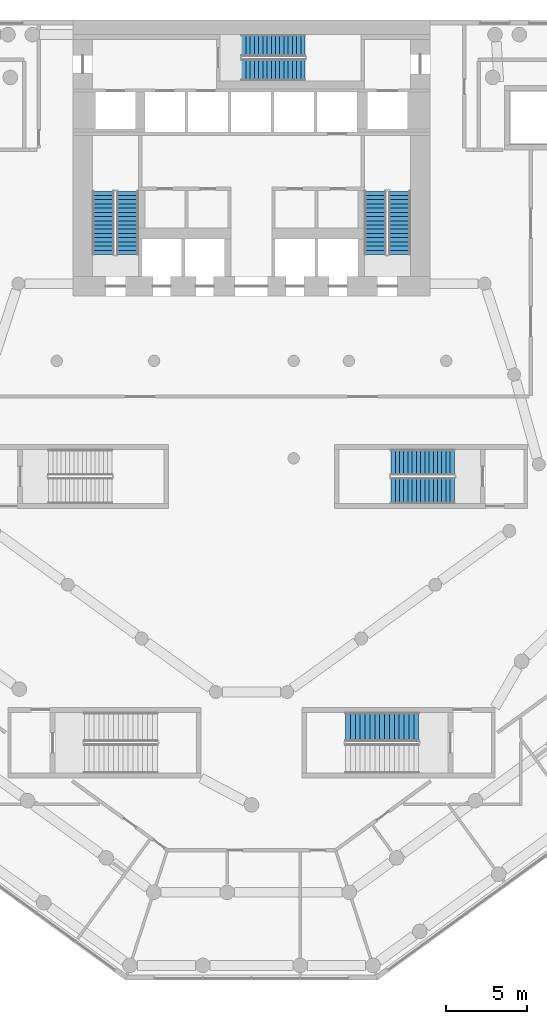
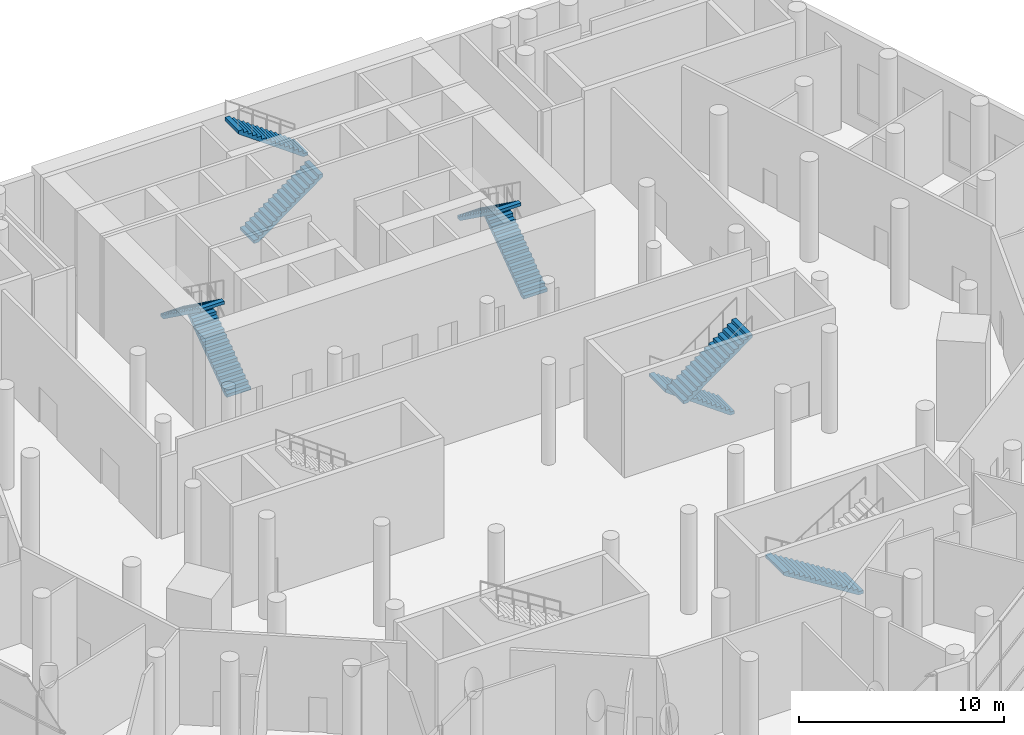
# One storey, part 16 of 19: 9 stair flights, 5 elements without a shape of their own.
"""IFC4 building model written with IfcOpenShell, lengths in metres."""

from ifc_helpers import new_model, si_unit, direction, frame, origin, place, context, subcontext, project, spatial, polyline, outline, extrude, material, layer, layer_set, type_object, element, aggregate, save


model = new_model("IFC4")

# Units and contexts
model_context = context("Model", 3, precision=1e-05, world=origin(), true_north=direction((0.0, 1.0)))
body_context = subcontext(model_context, "Body", "Model", "MODEL_VIEW")
ifc_project = project(units=[si_unit("LENGTHUNIT", "METRE"), si_unit("AREAUNIT", "SQUARE_METRE"), si_unit("VOLUMEUNIT", "CUBIC_METRE"), si_unit("PLANEANGLEUNIT", "RADIAN"), si_unit("MASSUNIT", "GRAM", prefix="KILO")], contexts=[model_context])

# Site, building, storey
site_placement = place(None, origin())
site = spatial("IfcSite", under=ifc_project, at=site_placement, CompositionType="ELEMENT")
building_placement = place(site_placement, origin())
building = spatial("IfcBuilding", under=site, at=building_placement, Name="White Candle Pilgrim Tower", CompositionType="ELEMENT")
storey_placement = place(building_placement, frame((0.0, 0.0, 23.0)))
storey = spatial("IfcBuildingStorey", under=building, at=storey_placement, Name="L03", CompositionType="ELEMENT", Elevation=23.0)

# Stair, stair flights
ifc_material = material(Name="Concrete C40/50", Category="concrete")
stair_type_1 = type_object("IfcStairType", Name="Exit stair 1 flight width 1350 mm", PredefinedType="HALF_TURN_STAIR", material=ifc_material)
stair_1_placement = place(storey_placement, origin())
stair_1 = element("IfcStair", 1, at=stair_1_placement, inside=storey, type_object=stair_type_1, Name="L03 stair 1", PredefinedType="NOTDEFINED")
ifc_layer = layer(ifc_material, 0.14990234375)
ifc_layer_set = layer_set([ifc_layer], Name="Stair flight Concrete C40/50")
stair_flight_type = type_object("IfcStairFlightType", Name="Stair flight Concrete C40/50", PredefinedType="STRAIGHT", material=ifc_layer_set)
stair_flight_1_placement = place(storey_placement, frame((62.375, 73.550048828125, 0.0), z_axis=(0.0, 0.0, 1.0), x_axis=(0.0, 1.0, 0.0)))
stair_flight_1 = element("IfcStairFlight", 2, at=stair_flight_1_placement, type_object=stair_flight_type, Name="ST1 flight 1", NumberOfRisers=16, NumberOfTreads=15, PredefinedType="NOTDEFINED", RiserHeight=0.1875, TreadLength=0.26, context=body_context, shape_type="SweptSolid", body=[
    extrude(outline(polyline([(0.0, 0.0), (0.0, 0.1875), (0.260009765625, 0.1875), (0.260009765625, 0.375), (0.52001953125, 0.375), (0.52001953125, 0.5625), (0.780029296875, 0.5625), (0.780029296875, 0.75), (1.0400390625, 0.75), (1.0400390625, 0.9375), (1.300048828125, 0.9375), (1.300048828125, 1.125), (1.56005859375, 1.125), (1.56005859375, 1.3125), (1.820068359375, 1.3125), (1.820068359375, 1.5), (2.080078125, 1.5), (2.080078125, 1.6875), (2.340087890625, 1.6875), (2.340087890625, 1.875), (2.60009765625, 1.875), (2.60009765625, 2.0625), (2.860107421875, 2.0625), (2.860107421875, 2.25), (3.1201171875, 2.25), (3.1201171875, 2.4375), (3.3798828125, 2.4375), (3.3798828125, 2.625), (3.639892578125, 2.625), (3.639892578125, 2.8125), (3.89990234375, 2.8125), (3.89990234375, 3.0), (3.89990234375, 2.627685546875), (0.25634765625, 0.0), (0.0, 0.0)])), frame((0.0, 0.675048828125, 0.0), z_axis=(0.0, -1.0, 0.0), x_axis=(1.0, 0.0, 0.0)), (0.0, 0.0, 1.0), 1.35009765625),
])
stair_flight_2_placement = place(storey_placement, frame((60.875, 77.449951171875, 3.0), z_axis=(0.0, 0.0, 1.0), x_axis=(0.0, -1.0, 0.0)))
stair_flight_2 = element("IfcStairFlight", 3, at=stair_flight_2_placement, type_object=stair_flight_type, Name="ST1 flight 2", NumberOfRisers=16, NumberOfTreads=15, PredefinedType="NOTDEFINED", RiserHeight=0.1875, TreadLength=0.26, context=body_context, shape_type="SweptSolid", body=[
    extrude(outline(polyline([(0.0, 0.0), (0.0, 0.1875), (0.260009765625, 0.1875), (0.260009765625, 0.375), (0.52001953125, 0.375), (0.52001953125, 0.5625), (0.780029296875, 0.5625), (0.780029296875, 0.75), (1.0400390625, 0.75), (1.0400390625, 0.9375), (1.300048828125, 0.9375), (1.300048828125, 1.125), (1.56005859375, 1.125), (1.56005859375, 1.3125), (1.820068359375, 1.3125), (1.820068359375, 1.5), (2.080078125, 1.5), (2.080078125, 1.6875), (2.340087890625, 1.6875), (2.340087890625, 1.875), (2.60009765625, 1.875), (2.60009765625, 2.0625), (2.860107421875, 2.0625), (2.860107421875, 2.25), (3.1201171875, 2.25), (3.1201171875, 2.4375), (3.3798828125, 2.4375), (3.3798828125, 2.625), (3.639892578125, 2.625), (3.639892578125, 2.8125), (3.89990234375, 2.8125), (3.89990234375, 3.0), (3.89990234375, 2.627685546875), (0.25634765625, 0.0), (0.0, 0.0)])), frame((0.0, 0.675048828125, 0.0), z_axis=(0.0, -1.0, 0.0), x_axis=(1.0, 0.0, 0.0)), (0.0, 0.0, 1.0), 1.35009765625),
])
aggregate(stair_1, [stair_flight_1, stair_flight_2])

stair_type_2 = type_object("IfcStairType", Name="Exit stair 2 flight width 1350 mm", PredefinedType="HALF_TURN_STAIR", material=ifc_material)
stair_2_placement = place(storey_placement, origin())
stair_2 = element("IfcStair", 4, at=stair_2_placement, inside=storey, type_object=stair_type_2, Name="L03 stair 2", PredefinedType="NOTDEFINED")
stair_flight_3_placement = place(storey_placement, frame((79.125, 73.550048828125, 0.0), z_axis=(0.0, 0.0, 1.0), x_axis=(0.0, 1.0, 0.0)))
stair_flight_3 = element("IfcStairFlight", 5, at=stair_flight_3_placement, type_object=stair_flight_type, Name="ST2 flight 1", NumberOfRisers=16, NumberOfTreads=15, PredefinedType="NOTDEFINED", RiserHeight=0.1875, TreadLength=0.26, context=body_context, shape_type="SweptSolid", body=[
    extrude(outline(polyline([(0.0, 0.0), (0.0, 0.1875), (0.260009765625, 0.1875), (0.260009765625, 0.375), (0.52001953125, 0.375), (0.52001953125, 0.5625), (0.780029296875, 0.5625), (0.780029296875, 0.75), (1.0400390625, 0.75), (1.0400390625, 0.9375), (1.300048828125, 0.9375), (1.300048828125, 1.125), (1.56005859375, 1.125), (1.56005859375, 1.3125), (1.820068359375, 1.3125), (1.820068359375, 1.5), (2.080078125, 1.5), (2.080078125, 1.6875), (2.340087890625, 1.6875), (2.340087890625, 1.875), (2.60009765625, 1.875), (2.60009765625, 2.0625), (2.860107421875, 2.0625), (2.860107421875, 2.25), (3.1201171875, 2.25), (3.1201171875, 2.4375), (3.3798828125, 2.4375), (3.3798828125, 2.625), (3.639892578125, 2.625), (3.639892578125, 2.8125), (3.89990234375, 2.8125), (3.89990234375, 3.0), (3.89990234375, 2.627685546875), (0.25634765625, 0.0), (0.0, 0.0)])), frame((0.0, 0.675048828125, 0.0), z_axis=(0.0, -1.0, 0.0), x_axis=(1.0, 0.0, 0.0)), (0.0, 0.0, 1.0), 1.35009765625),
])
stair_flight_4_placement = place(storey_placement, frame((77.625, 77.449951171875, 3.0), z_axis=(0.0, 0.0, 1.0), x_axis=(0.0, -1.0, 0.0)))
stair_flight_4 = element("IfcStairFlight", 6, at=stair_flight_4_placement, type_object=stair_flight_type, Name="ST2 flight 2", NumberOfRisers=16, NumberOfTreads=15, PredefinedType="NOTDEFINED", RiserHeight=0.1875, TreadLength=0.26, context=body_context, shape_type="SweptSolid", body=[
    extrude(outline(polyline([(0.0, 0.0), (0.0, 0.1875), (0.260009765625, 0.1875), (0.260009765625, 0.375), (0.52001953125, 0.375), (0.52001953125, 0.5625), (0.780029296875, 0.5625), (0.780029296875, 0.75), (1.0400390625, 0.75), (1.0400390625, 0.9375), (1.300048828125, 0.9375), (1.300048828125, 1.125), (1.56005859375, 1.125), (1.56005859375, 1.3125), (1.820068359375, 1.3125), (1.820068359375, 1.5), (2.080078125, 1.5), (2.080078125, 1.6875), (2.340087890625, 1.6875), (2.340087890625, 1.875), (2.60009765625, 1.875), (2.60009765625, 2.0625), (2.860107421875, 2.0625), (2.860107421875, 2.25), (3.1201171875, 2.25), (3.1201171875, 2.4375), (3.3798828125, 2.4375), (3.3798828125, 2.625), (3.639892578125, 2.625), (3.639892578125, 2.8125), (3.89990234375, 2.8125), (3.89990234375, 3.0), (3.89990234375, 2.627685546875), (0.25634765625, 0.0), (0.0, 0.0)])), frame((0.0, 0.675048828125, 0.0), z_axis=(0.0, -1.0, 0.0), x_axis=(1.0, 0.0, 0.0)), (0.0, 0.0, 1.0), 1.35009765625),
])
aggregate(stair_2, [stair_flight_3, stair_flight_4])

stair_type_3 = type_object("IfcStairType", Name="Exit stair 3 flight width 1350 mm", PredefinedType="HALF_TURN_STAIR", material=ifc_material)
stair_3_placement = place(storey_placement, origin())
stair_3 = element("IfcStair", 7, at=stair_3_placement, inside=storey, type_object=stair_type_3, Name="L03 stair 3", PredefinedType="NOTDEFINED")
stair_flight_5_placement = place(storey_placement, frame((69.39990234375, 84.925048828125, 0.0), z_axis=(0.0, 0.0, 1.0), x_axis=(1.0, 0.0, 0.0)))
stair_flight_5 = element("IfcStairFlight", 8, at=stair_flight_5_placement, type_object=stair_flight_type, Name="ST3 flight 1", NumberOfRisers=16, NumberOfTreads=15, PredefinedType="NOTDEFINED", RiserHeight=0.1875, TreadLength=0.26, context=body_context, shape_type="SweptSolid", body=[
    extrude(outline(polyline([(0.0, 0.0), (0.0, 0.1875), (0.260009765625, 0.1875), (0.260009765625, 0.375), (0.52001953125, 0.375), (0.52001953125, 0.5625), (0.780029296875, 0.5625), (0.780029296875, 0.75), (1.0400390625, 0.75), (1.0400390625, 0.9375), (1.300048828125, 0.9375), (1.300048828125, 1.125), (1.56005859375, 1.125), (1.56005859375, 1.3125), (1.820068359375, 1.3125), (1.820068359375, 1.5), (2.080078125, 1.5), (2.080078125, 1.6875), (2.340087890625, 1.6875), (2.340087890625, 1.875), (2.60009765625, 1.875), (2.60009765625, 2.0625), (2.860107421875, 2.0625), (2.860107421875, 2.25), (3.1201171875, 2.25), (3.1201171875, 2.4375), (3.3798828125, 2.4375), (3.3798828125, 2.625), (3.639892578125, 2.625), (3.639892578125, 2.8125), (3.89990234375, 2.8125), (3.89990234375, 3.0), (3.89990234375, 2.627685546875), (0.25634765625, 0.0), (0.0, 0.0)])), frame((0.0, 0.675048828125, 0.0), z_axis=(0.0, -1.0, 0.0), x_axis=(1.0, 0.0, 0.0)), (0.0, 0.0, 1.0), 1.35009765625),
])
stair_flight_6_placement = place(storey_placement, frame((73.300048828125, 86.425048828125, 3.0), z_axis=(0.0, 0.0, 1.0), x_axis=(-1.0, 0.0, 0.0)))
stair_flight_6 = element("IfcStairFlight", 9, at=stair_flight_6_placement, type_object=stair_flight_type, Name="ST3 flight 2", NumberOfRisers=16, NumberOfTreads=15, PredefinedType="NOTDEFINED", RiserHeight=0.1875, TreadLength=0.26, context=body_context, shape_type="SweptSolid", body=[
    extrude(outline(polyline([(0.0, 0.0), (0.0, 0.1875), (0.260009765625, 0.1875), (0.260009765625, 0.375), (0.52001953125, 0.375), (0.52001953125, 0.5625), (0.780029296875, 0.5625), (0.780029296875, 0.75), (1.0400390625, 0.75), (1.0400390625, 0.9375), (1.300048828125, 0.9375), (1.300048828125, 1.125), (1.56005859375, 1.125), (1.56005859375, 1.3125), (1.820068359375, 1.3125), (1.820068359375, 1.5), (2.080078125, 1.5), (2.080078125, 1.6875), (2.340087890625, 1.6875), (2.340087890625, 1.875), (2.60009765625, 1.875), (2.60009765625, 2.0625), (2.860107421875, 2.0625), (2.860107421875, 2.25), (3.1201171875, 2.25), (3.1201171875, 2.4375), (3.3798828125, 2.4375), (3.3798828125, 2.625), (3.639892578125, 2.625), (3.639892578125, 2.8125), (3.89990234375, 2.8125), (3.89990234375, 3.0), (3.89990234375, 2.627685546875), (0.25634765625, 0.0), (0.0, 0.0)])), frame((0.0, 0.675048828125, 0.0), z_axis=(0.0, -1.0, 0.0), x_axis=(1.0, 0.0, 0.0)), (0.0, 0.0, 1.0), 1.35009765625),
])
aggregate(stair_3, [stair_flight_5, stair_flight_6])

stair_type_4 = type_object("IfcStairType", Name="Exit stair 4 flight width 1600 mm", PredefinedType="HALF_TURN_STAIR", material=ifc_material)
stair_4_placement = place(storey_placement, origin())
stair_4 = element("IfcStair", 10, at=stair_4_placement, inside=storey, type_object=stair_type_4, Name="L03 stair 4", PredefinedType="NOTDEFINED")
stair_flight_7_placement = place(storey_placement, frame((82.5, 60.75, 0.0), z_axis=(0.0, 0.0, 1.0), x_axis=(-1.0, 0.0, 0.0)))
stair_flight_7 = element("IfcStairFlight", 11, at=stair_flight_7_placement, type_object=stair_flight_type, Name="ST4 flight 1", NumberOfRisers=16, NumberOfTreads=15, PredefinedType="NOTDEFINED", RiserHeight=0.1875, TreadLength=0.26, context=body_context, shape_type="SweptSolid", body=[
    extrude(outline(polyline([(0.0, 0.0), (0.0, 0.1875), (0.260009765625, 0.1875), (0.260009765625, 0.375), (0.52001953125, 0.375), (0.52001953125, 0.5625), (0.780029296875, 0.5625), (0.780029296875, 0.75), (1.0400390625, 0.75), (1.0400390625, 0.9375), (1.300048828125, 0.9375), (1.300048828125, 1.125), (1.56005859375, 1.125), (1.56005859375, 1.3125), (1.820068359375, 1.3125), (1.820068359375, 1.5), (2.080078125, 1.5), (2.080078125, 1.6875), (2.340087890625, 1.6875), (2.340087890625, 1.875), (2.60009765625, 1.875), (2.60009765625, 2.0625), (2.860107421875, 2.0625), (2.860107421875, 2.25), (3.1201171875, 2.25), (3.1201171875, 2.4375), (3.3798828125, 2.4375), (3.3798828125, 2.625), (3.639892578125, 2.625), (3.639892578125, 2.8125), (3.89990234375, 2.8125), (3.89990234375, 3.0), (3.89990234375, 2.627685546875), (0.25634765625, 0.0), (0.0, 0.0)])), frame((0.0, 0.800048828125, 0.0), z_axis=(0.0, -1.0, 0.0), x_axis=(1.0, 0.0, 0.0)), (0.0, 0.0, 1.0), 1.60009765625),
])
stair_flight_8_placement = place(storey_placement, frame((78.60009765625, 59.0, 3.0), z_axis=(0.0, 0.0, 1.0), x_axis=(1.0, 0.0, 0.0)))
stair_flight_8 = element("IfcStairFlight", 12, at=stair_flight_8_placement, type_object=stair_flight_type, Name="ST4 flight 2", NumberOfRisers=16, NumberOfTreads=15, PredefinedType="NOTDEFINED", RiserHeight=0.1875, TreadLength=0.26, context=body_context, shape_type="SweptSolid", body=[
    extrude(outline(polyline([(0.0, 0.0), (0.0, 0.1875), (0.260009765625, 0.1875), (0.260009765625, 0.375), (0.52001953125, 0.375), (0.52001953125, 0.5625), (0.780029296875, 0.5625), (0.780029296875, 0.75), (1.0400390625, 0.75), (1.0400390625, 0.9375), (1.300048828125, 0.9375), (1.300048828125, 1.125), (1.56005859375, 1.125), (1.56005859375, 1.3125), (1.820068359375, 1.3125), (1.820068359375, 1.5), (2.080078125, 1.5), (2.080078125, 1.6875), (2.340087890625, 1.6875), (2.340087890625, 1.875), (2.60009765625, 1.875), (2.60009765625, 2.0625), (2.860107421875, 2.0625), (2.860107421875, 2.25), (3.1201171875, 2.25), (3.1201171875, 2.4375), (3.3798828125, 2.4375), (3.3798828125, 2.625), (3.639892578125, 2.625), (3.639892578125, 2.8125), (3.89990234375, 2.8125), (3.89990234375, 3.0), (3.89990234375, 2.627685546875), (0.25634765625, 0.0), (0.0, 0.0)])), frame((0.0, 0.800048828125, 0.0), z_axis=(0.0, -1.0, 0.0), x_axis=(1.0, 0.0, 0.0)), (0.0, 0.0, 1.0), 1.60009765625),
])
aggregate(stair_4, [stair_flight_7, stair_flight_8])

# Stair, stair flight
stair_type_5 = type_object("IfcStairType", Name="Exit stair 7 flight width 1800 mm", PredefinedType="HALF_TURN_STAIR", material=ifc_material)
stair_5_placement = place(storey_placement, origin())
stair_5 = element("IfcStair", 13, at=stair_5_placement, inside=storey, type_object=stair_type_5, Name="L03 stair 7", PredefinedType="NOTDEFINED")
stair_flight_9_placement = place(storey_placement, frame((80.300048828125, 44.449951171875, 0.0), z_axis=(0.0, 0.0, 1.0), x_axis=(-1.0, 0.0, 0.0)))
stair_flight_9 = element("IfcStairFlight", 14, at=stair_flight_9_placement, type_object=stair_flight_type, Name="ST7 flight 1", NumberOfRisers=16, NumberOfTreads=15, PredefinedType="NOTDEFINED", RiserHeight=0.1875, TreadLength=0.3, context=body_context, shape_type="SweptSolid", body=[
    extrude(outline(polyline([(0.0, 0.0), (0.0, 0.1875), (0.300048828125, 0.1875), (0.300048828125, 0.375), (0.60009765625, 0.375), (0.60009765625, 0.5625), (0.89990234375, 0.5625), (0.89990234375, 0.75), (1.199951171875, 0.75), (1.199951171875, 0.9375), (1.5, 0.9375), (1.5, 1.125), (1.800048828125, 1.125), (1.800048828125, 1.3125), (2.10009765625, 1.3125), (2.10009765625, 1.5), (2.39990234375, 1.5), (2.39990234375, 1.6875), (2.699951171875, 1.6875), (2.699951171875, 1.875), (3.0, 1.875), (3.0, 2.0625), (3.300048828125, 2.0625), (3.300048828125, 2.25), (3.60009765625, 2.25), (3.60009765625, 2.4375), (3.89990234375, 2.4375), (3.89990234375, 2.625), (4.199951171875, 2.625), (4.199951171875, 2.8125), (4.5, 2.8125), (4.5, 3.0), (4.5, 2.6357421875), (0.28271484375, 0.0), (0.0, 0.0)])), frame((0.0, 0.89990234375, 0.0), z_axis=(0.0, -1.0, 0.0), x_axis=(1.0, 0.0, 0.0)), (0.0, 0.0, 1.0), 1.800048828125),
])
aggregate(stair_5, [stair_flight_9])

save(model, "model.ifc")
